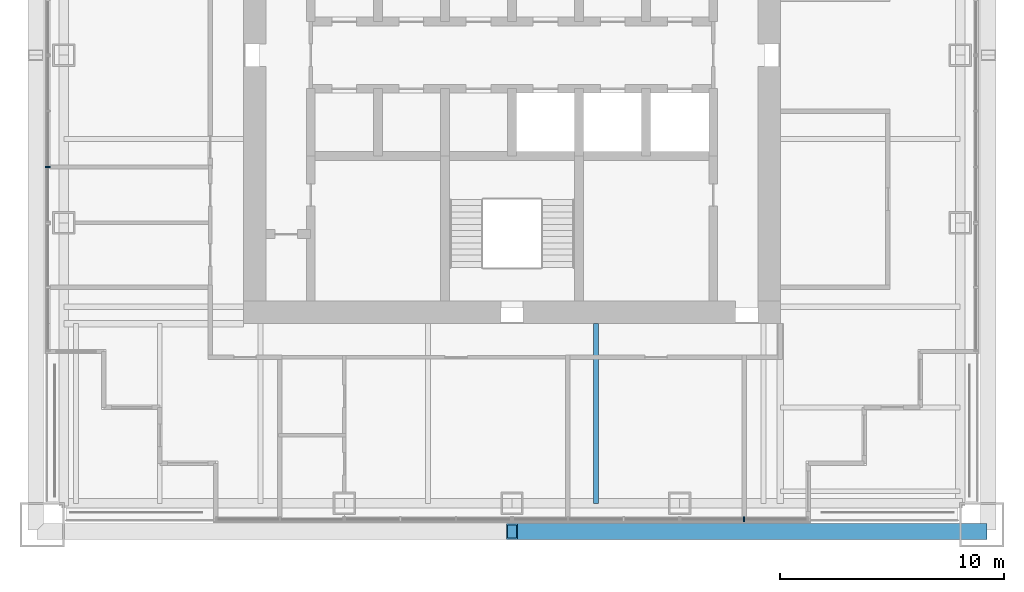
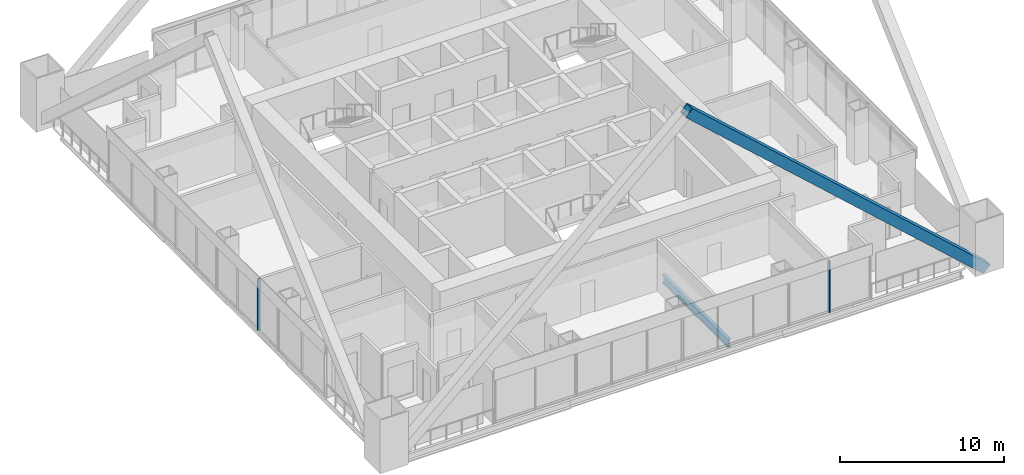
# One storey, part 3 of 13: 3 members, 1 beam, 2 elements without a shape of their own.
"""IFC4 building model written with IfcOpenShell, lengths in metres."""

from ifc_helpers import new_model, si_unit, direction, frame, origin, origin_2d, place, context, subcontext, project, spatial, rectangle, hollow_rectangle, i_section, extrude, material, material_profile, profile_set, type_object, element, aggregate, save


model = new_model("IFC4")

# Units and contexts
model_context = context("Model", 3, precision=1e-05, world=origin(), true_north=direction((0.0, 1.0)))
body_context = subcontext(model_context, "Body", "Model", "MODEL_VIEW")
ifc_project = project(units=[si_unit("LENGTHUNIT", "METRE"), si_unit("AREAUNIT", "SQUARE_METRE"), si_unit("VOLUMEUNIT", "CUBIC_METRE"), si_unit("PLANEANGLEUNIT", "RADIAN"), si_unit("MASSUNIT", "GRAM", prefix="KILO")], contexts=[model_context])

# Site, building, storey
site_placement = place(None, origin())
site = spatial("IfcSite", under=ifc_project, at=site_placement, CompositionType="ELEMENT")
building_placement = place(site_placement, origin())
building = spatial("IfcBuilding", under=site, at=building_placement, Name="Tarangal Relay Tower", CompositionType="ELEMENT")
storey_placement = place(building_placement, frame((0.0, 0.0, 259.89990234375)))
storey = spatial("IfcBuildingStorey", under=building, at=storey_placement, Name="L56", CompositionType="ELEMENT", Elevation=259.89990234375)

# Beam
ifc_material_1 = material(Name="Steel ASTM A992", Category="steel")
ifc_material_profile_1 = material_profile(ifc_material_1, i_section(OverallWidth=0.228271484375, OverallDepth=0.607177734375, WebThickness=0.01123046875, FlangeThickness=0.017333984375, at=origin_2d()), Name="W24X76")
ifc_profile_set_1 = profile_set([ifc_material_profile_1], Name="Steel ASTM A992")
beam_type = type_object("IfcBeamType", Name="Floor beam W24X76", PredefinedType="BEAM", material=ifc_profile_set_1)
beam_placement = place(storey_placement, frame((3.75, -12.0, -0.453369140625), z_axis=(0.0, -1.0, 0.0), x_axis=(1.0, 0.0, 0.0)))
element("IfcBeam", 1, at=beam_placement, inside=storey, type_object=beam_type, Name="Floor beam RB5 S L56", PredefinedType="BEAM", context=body_context, shape_type="SweptSolid", body=[
    extrude(i_section(OverallWidth=0.228271484375, OverallDepth=0.607177734375, WebThickness=0.01123046875, FlangeThickness=0.017333984375, at=origin_2d()), origin(), (0.0, 0.0, 1.0), 8.0400390625),
])

# Member
ifc_material_2 = material(Name="Steel ASTM A572 Grade 50", Category="steel")
ifc_material_profile_2 = material_profile(ifc_material_2, hollow_rectangle(XDim=0.699951171875, YDim=0.699951171875, WallThickness=0.052001953125, at=origin_2d()), Name="BOX700X700X52")
ifc_profile_set_2 = profile_set([ifc_material_profile_2], Name="Steel ASTM A572 Grade 50")
member_type_1 = type_object("IfcMemberType", Name="Mega brace BOX700X700X52", PredefinedType="BRACE", material=ifc_profile_set_2)
member_1_placement = place(storey_placement, frame((21.0, -21.300048828125, 0.0), z_axis=(-0.741535779124, 0.0, 0.670913323969), x_axis=(0.0, -1.0, 0.0)))
element("IfcMember", 2, at=member_1_placement, inside=storey, type_object=member_type_1, Name="Mega brace MB4 S face module 1", PredefinedType="BRACE", context=body_context, shape_type="SweptSolid", body=[
    extrude(hollow_rectangle(XDim=0.699951171875, YDim=0.699951171875, WallThickness=0.052001953125, at=origin_2d()), origin(), (0.0, 0.0, 1.0), 28.319580078125),
])

# Curtain wall, member
ifc_material_3 = material(Name="Unitised curtain wall, dark glass and black aluminium", Category="aluminium")
curtain_wall_type = type_object("IfcCurtainWallType", Name="Curtain wall CW-S", PredefinedType="USERDEFINED", material=ifc_material_3)
curtain_wall_1_placement = place(storey_placement, origin())
curtain_wall_1 = element("IfcCurtainWall", 3, at=curtain_wall_1_placement, inside=storey, type_object=curtain_wall_type, Name="Curtain wall CW-S S facade L56", ObjectType="UNITISED CURTAIN WALL", PredefinedType="USERDEFINED")
ifc_material_4 = material(Name="Black anodised aluminium mullion", Category="aluminium")
ifc_material_profile_3 = material_profile(ifc_material_4, rectangle(XDim=0.219970703125, YDim=0.074951171875, at=origin_2d()), Name="CW-SM 75X220")
ifc_profile_set_3 = profile_set([ifc_material_profile_3], Name="Black anodised aluminium mullion")
member_type_2 = type_object("IfcMemberType", Name="Mullion CW-S 75 x 220", PredefinedType="MULLION", material=ifc_profile_set_3)
member_2_placement = place(storey_placement, frame((10.375, -20.75, 0.0), z_axis=(0.0, 0.0, 1.0), x_axis=(0.0, -1.0, 0.0)))
member_2 = element("IfcMember", 4, at=member_2_placement, type_object=member_type_2, Name="CW-S mullion 2", PredefinedType="MULLION", context=body_context, shape_type="SweptSolid", body=[
    extrude(rectangle(XDim=0.219970703125, YDim=0.074951171875, at=origin_2d()), origin(), (0.0, 0.0, 1.0), 3.85009765625),
])
aggregate(curtain_wall_1, [member_2])

curtain_wall_2_placement = place(storey_placement, origin())
curtain_wall_2 = element("IfcCurtainWall", 5, at=curtain_wall_2_placement, inside=storey, type_object=curtain_wall_type, Name="Curtain wall CW-S W facade L56", ObjectType="UNITISED CURTAIN WALL", PredefinedType="USERDEFINED")
member_3_placement = place(storey_placement, frame((-20.75, -5.0, 0.0), z_axis=(0.0, 0.0, 1.0), x_axis=(-1.0, 0.0, 0.0)))
member_3 = element("IfcMember", 6, at=member_3_placement, type_object=member_type_2, Name="CW-S mullion 2", PredefinedType="MULLION", context=body_context, shape_type="SweptSolid", body=[
    extrude(rectangle(XDim=0.219970703125, YDim=0.074951171875, at=origin_2d()), origin(), (0.0, 0.0, 1.0), 3.85009765625),
])
aggregate(curtain_wall_2, [member_3])

save(model, "model.ifc")
